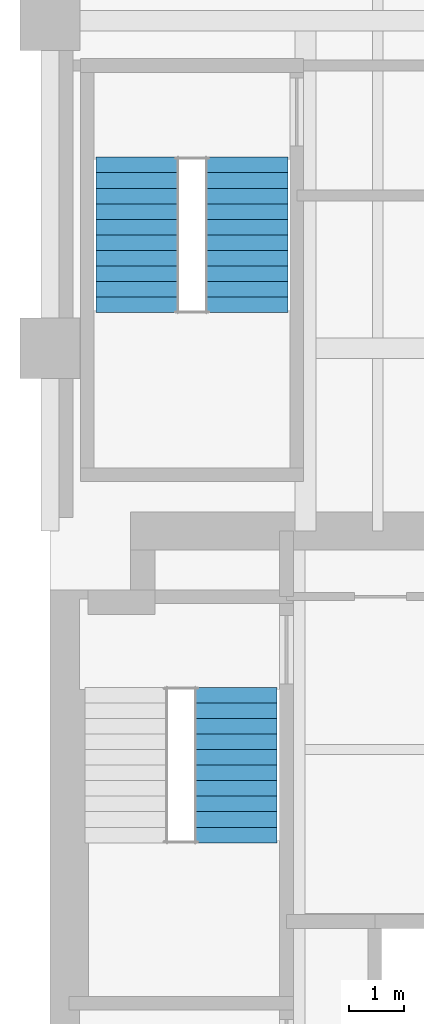
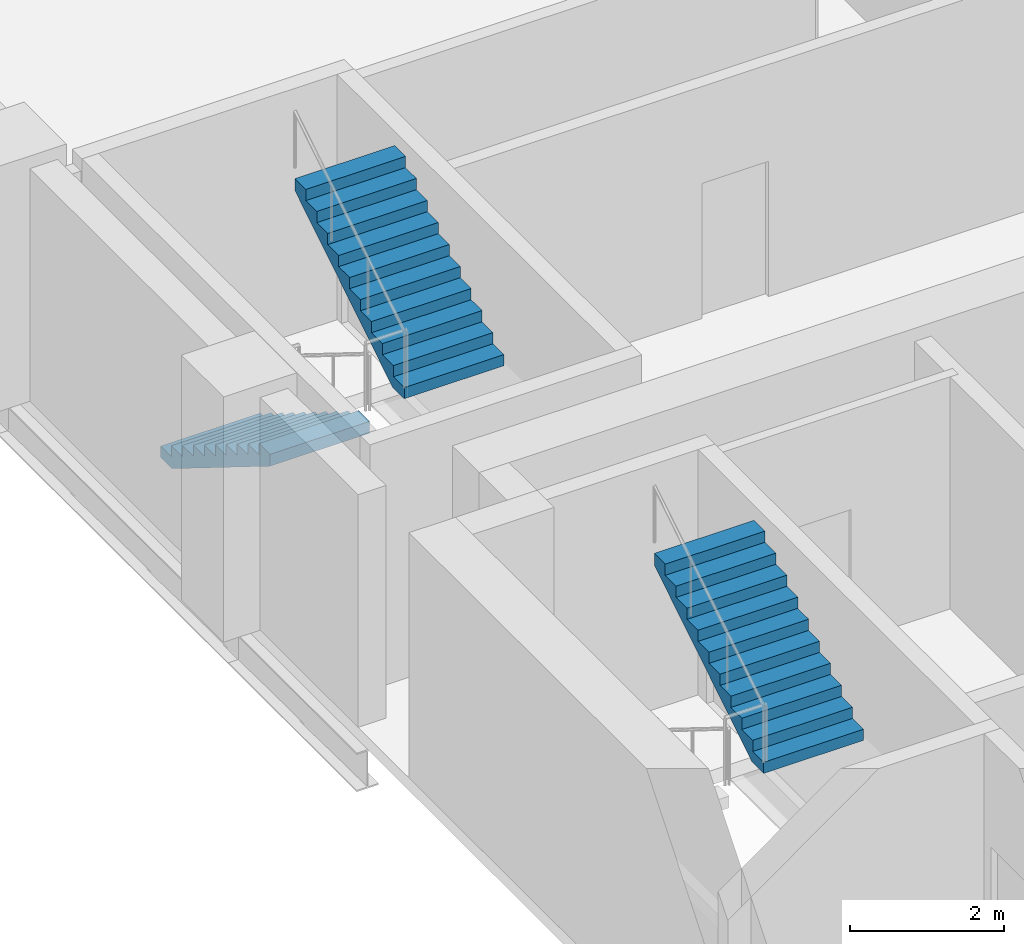
# One storey, part 6 of 7: 3 stair flights, 2 elements without a shape of their own.
"""IFC4 building model written with IfcOpenShell, lengths in metres."""

from ifc_helpers import new_model, si_unit, direction, frame, origin, place, context, subcontext, project, spatial, polyline, outline, extrude, material, type_object, element, aggregate, save


model = new_model("IFC4")

# Units and contexts
model_context = context("Model", 3, precision=1e-05, world=origin(), true_north=direction((0.0, 1.0)))
body_context = subcontext(model_context, "Body", "Model", "MODEL_VIEW")
ifc_project = project(units=[si_unit("LENGTHUNIT", "METRE"), si_unit("AREAUNIT", "SQUARE_METRE"), si_unit("VOLUMEUNIT", "CUBIC_METRE"), si_unit("PLANEANGLEUNIT", "RADIAN"), si_unit("MASSUNIT", "GRAM", prefix="KILO")], contexts=[model_context])

# Site, building, storey
site_placement = place(None, origin())
site = spatial("IfcSite", under=ifc_project, at=site_placement, CompositionType="ELEMENT")
building_placement = place(site_placement, origin())
building = spatial("IfcBuilding", under=site, at=building_placement, Name="Mawjdan Bourse Tower", CompositionType="ELEMENT")
storey_placement = place(building_placement, frame((0.0, 0.0, 105.0)))
storey = spatial("IfcBuildingStorey", under=building, at=storey_placement, Name="L24", CompositionType="ELEMENT", Elevation=105.0)

# Stair, stair flight
ifc_material = material(Name="Concrete C50/60", Category="concrete")
stair_type = type_object("IfcStairType", Name="STR-CORE-1500", PredefinedType="HALF_TURN_STAIR", material=ifc_material)
stair_1_placement = place(storey_placement, origin())
stair_1 = element("IfcStair", 1, at=stair_1_placement, inside=storey, type_object=stair_type, Name="L24 Exit Stair 2 (Core North-West)", PredefinedType="HALF_TURN_STAIR")
stair_flight_type = type_object("IfcStairFlightType", Name="SFL-RC-1500", PredefinedType="STRAIGHT", material=ifc_material)
stair_flight_1_placement = place(storey_placement, frame((9.409912109375, 14.93994140625, 1.949951171875), z_axis=(0.0, 0.0, 1.0), x_axis=(0.0, 1.0, 0.0)))
stair_flight_1 = element("IfcStairFlight", 2, at=stair_flight_1_placement, type_object=stair_flight_type, Name="ST2-L24 flight 2", NumberOfRisers=11, NumberOfTreads=10, PredefinedType="STRAIGHT", RiserHeight=0.177273, TreadLength=0.285, context=body_context, shape_type="SweptSolid", body=[
    extrude(outline(polyline([(0.0, 0.0), (0.0, 0.17724609375), (0.284912109375, 0.17724609375), (0.284912109375, 0.3544921875), (0.570068359375, 0.3544921875), (0.570068359375, 0.53173828125), (0.85498046875, 0.53173828125), (0.85498046875, 0.708984375), (1.139892578125, 0.708984375), (1.139892578125, 0.886474609375), (1.425048828125, 0.886474609375), (1.425048828125, 1.063720703125), (1.7099609375, 1.063720703125), (1.7099609375, 1.240966796875), (1.9951171875, 1.240966796875), (1.9951171875, 1.418212890625), (2.280029296875, 1.418212890625), (2.280029296875, 1.595458984375), (2.56494140625, 1.595458984375), (2.56494140625, 1.772705078125), (2.85009765625, 1.772705078125), (2.85009765625, 1.949951171875), (2.85009765625, 1.58447265625), (0.302734375, 0.0), (0.0, 0.0)])), frame((0.0, 0.75, 0.0), z_axis=(0.0, -1.0, 0.0), x_axis=(1.0, 0.0, 0.0)), (0.0, 0.0, 1.0), 1.5),
])
aggregate(stair_1, [stair_flight_1])

# Stair, stair flights
stair_2_placement = place(storey_placement, origin())
stair_2 = element("IfcStair", 3, at=stair_2_placement, inside=storey, type_object=stair_type, Name="L24 Exit Stair 3 (North Wing)", PredefinedType="HALF_TURN_STAIR")
stair_flight_2_placement = place(storey_placement, frame((7.590087890625, 27.5, 0.0), z_axis=(0.0, 0.0, 1.0), x_axis=(0.0, -1.0, 0.0)))
stair_flight_2 = element("IfcStairFlight", 4, at=stair_flight_2_placement, type_object=stair_flight_type, Name="ST3-L24 flight 1", NumberOfRisers=11, NumberOfTreads=10, PredefinedType="STRAIGHT", RiserHeight=0.177273, TreadLength=0.285, context=body_context, shape_type="SweptSolid", body=[
    extrude(outline(polyline([(0.0, 0.0), (0.0, 0.17724609375), (0.284912109375, 0.17724609375), (0.284912109375, 0.3544921875), (0.570068359375, 0.3544921875), (0.570068359375, 0.53173828125), (0.85498046875, 0.53173828125), (0.85498046875, 0.708984375), (1.139892578125, 0.708984375), (1.139892578125, 0.886474609375), (1.425048828125, 0.886474609375), (1.425048828125, 1.063720703125), (1.7099609375, 1.063720703125), (1.7099609375, 1.240966796875), (1.9951171875, 1.240966796875), (1.9951171875, 1.418212890625), (2.280029296875, 1.418212890625), (2.280029296875, 1.595458984375), (2.56494140625, 1.595458984375), (2.56494140625, 1.772705078125), (2.85009765625, 1.772705078125), (2.85009765625, 1.949951171875), (2.85009765625, 1.58447265625), (0.302734375, 0.0), (0.0, 0.0)])), frame((0.0, 0.75, 0.0), z_axis=(0.0, -1.0, 0.0), x_axis=(1.0, 0.0, 0.0)), (0.0, 0.0, 1.0), 1.5),
])
stair_flight_3_placement = place(storey_placement, frame((9.610107421875, 24.64990234375, 1.949951171875), z_axis=(0.0, 0.0, 1.0), x_axis=(0.0, 1.0, 0.0)))
stair_flight_3 = element("IfcStairFlight", 5, at=stair_flight_3_placement, type_object=stair_flight_type, Name="ST3-L24 flight 2", NumberOfRisers=11, NumberOfTreads=10, PredefinedType="STRAIGHT", RiserHeight=0.177273, TreadLength=0.285, context=body_context, shape_type="SweptSolid", body=[
    extrude(outline(polyline([(0.0, 0.0), (0.0, 0.17724609375), (0.284912109375, 0.17724609375), (0.284912109375, 0.3544921875), (0.570068359375, 0.3544921875), (0.570068359375, 0.53173828125), (0.85498046875, 0.53173828125), (0.85498046875, 0.708984375), (1.139892578125, 0.708984375), (1.139892578125, 0.886474609375), (1.425048828125, 0.886474609375), (1.425048828125, 1.063720703125), (1.7099609375, 1.063720703125), (1.7099609375, 1.240966796875), (1.9951171875, 1.240966796875), (1.9951171875, 1.418212890625), (2.280029296875, 1.418212890625), (2.280029296875, 1.595458984375), (2.56494140625, 1.595458984375), (2.56494140625, 1.772705078125), (2.85009765625, 1.772705078125), (2.85009765625, 1.949951171875), (2.85009765625, 1.58447265625), (0.302734375, 0.0), (0.0, 0.0)])), frame((0.0, 0.75, 0.0), z_axis=(0.0, -1.0, 0.0), x_axis=(1.0, 0.0, 0.0)), (0.0, 0.0, 1.0), 1.5),
])
aggregate(stair_2, [stair_flight_2, stair_flight_3])

save(model, "model.ifc")
